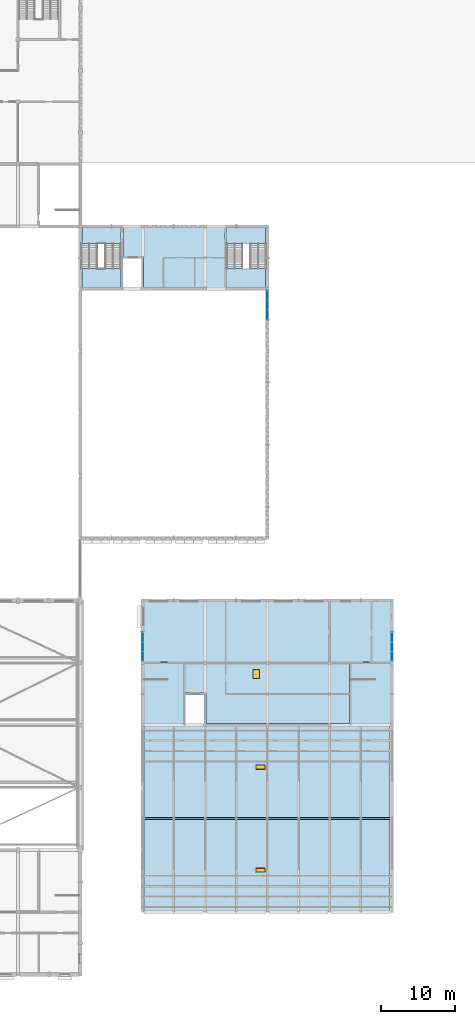
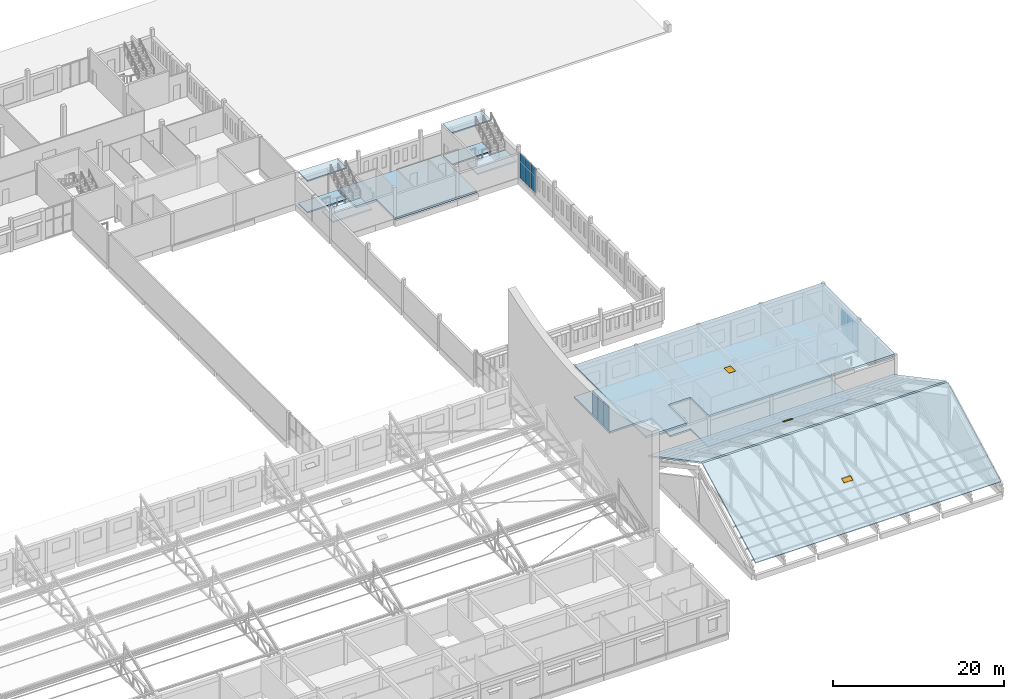
# One storey, part 67 of 101: 12 plates, 11 slabs, 3 windows, 3 openings, 5 elements without a shape of their own.
"""IFC4 building model written with IfcOpenShell, lengths in metres."""

from ifc_helpers import new_model, si_unit, direction, frame, origin, origin_2d, place, context, subcontext, project, spatial, polyline, rectangle, outline, extrude, material, layer, layer_set, type_object, element, fill, aggregate, save


model = new_model("IFC4")

# Units and contexts
model_context = context("Model", 3, precision=1e-05, world=origin(), true_north=direction((0.0, 1.0)))
body_context = subcontext(model_context, "Body", "Model", "MODEL_VIEW")
ifc_project = project(units=[si_unit("LENGTHUNIT", "METRE"), si_unit("AREAUNIT", "SQUARE_METRE"), si_unit("VOLUMEUNIT", "CUBIC_METRE"), si_unit("PLANEANGLEUNIT", "RADIAN"), si_unit("MASSUNIT", "GRAM", prefix="KILO")], contexts=[model_context])

# Site, building, storey
site_placement = place(None, origin())
site = spatial("IfcSite", under=ifc_project, at=site_placement, CompositionType="ELEMENT")
building_placement = place(site_placement, origin())
building = spatial("IfcBuilding", under=site, at=building_placement, Name="Fescue Hill Polytechnic", CompositionType="ELEMENT")
storey_placement = place(building_placement, frame((0.0, 0.0, 9.0)))
storey = spatial("IfcBuildingStorey", under=building, at=storey_placement, Name="L02", CompositionType="ELEMENT", Elevation=9.0)

# Slabs
ifc_material_1 = material(Name="Concrete 35 MPa", Category="concrete")
ifc_layer_1 = layer(ifc_material_1, 0.25)
ifc_layer_set_1 = layer_set([ifc_layer_1], Name="Concrete 35 MPa")
slab_type_1 = type_object("IfcSlabType", Name="Floor slab 250", PredefinedType="FLOOR", material=ifc_layer_set_1)
slab_1_placement = place(storey_placement, frame((0.0, 0.0, -0.25)))
element("IfcSlab", 1, at=slab_1_placement, inside=storey, type_object=slab_type_1, Name="SL-L02-V3-1", PredefinedType="FLOOR", context=body_context, shape_type="SweptSolid", body=[
    extrude(outline(polyline([(159.60009765625, 50.39990234375), (159.60009765625, 42.125), (153.875, 42.125), (153.875, 33.7998046875), (134.5, 33.7998046875), (134.5, 37.89990234375), (131.72509765625, 37.89990234375), (131.72509765625, 42.125), (126.0, 42.125), (126.0, 50.39990234375), (159.60009765625, 50.39990234375)])), origin(), (0.0, 0.0, 1.0), 0.25),
])
ifc_layer_2 = layer(ifc_material_1, 0.300048828125)
ifc_layer_set_2 = layer_set([ifc_layer_2], Name="Concrete 35 MPa")
slab_type_2 = type_object("IfcSlabType", Name="Floor slab 300", PredefinedType="FLOOR", material=ifc_layer_set_2)
slab_2_placement = place(storey_placement, frame((0.0, 0.0, -0.300048828125)))
element("IfcSlab", 2, at=slab_2_placement, inside=storey, type_object=slab_type_2, Name="SL-L02-V2-1", PredefinedType="FLOOR", context=body_context, shape_type="SweptSolid", body=[
    extrude(outline(polyline([(137.074951171875, 100.800048828125), (137.074951171875, 92.39990234375), (126.10009765625, 92.39990234375), (126.10009765625, 96.699951171875), (123.324951171875, 96.699951171875), (123.324951171875, 100.800048828125), (137.074951171875, 100.800048828125)])), origin(), (0.0, 0.0, 1.0), 0.300048828125),
])

# Curtain wall, plates
ifc_material_2 = material(Name="Glass", Category="glass")
curtain_wall_type = type_object("IfcCurtainWallType", Name="Curtain wall structural glazing", PredefinedType="NOTDEFINED", material=ifc_material_2)
curtain_wall_1_placement = place(storey_placement, origin())
curtain_wall_1 = element("IfcCurtainWall", 3, at=curtain_wall_1_placement, inside=storey, type_object=curtain_wall_type, Name="CW-L02-V3-X1", PredefinedType="NOTDEFINED")
ifc_layer_3 = layer(ifc_material_2, 0.028076171875)
ifc_layer_set_3 = layer_set([ifc_layer_3], Name="Glass")
plate_type = type_object("IfcPlateType", Name="Panel glazing 28", PredefinedType="CURTAIN_PANEL", material=ifc_layer_set_3)
plate_1_placement = place(storey_placement, frame((126.0, 45.46826171875, 0.06005859375), z_axis=(0.0, 0.0, 1.0), x_axis=(0.0, -1.0, 0.0)))
plate_1 = element("IfcPlate", 4, at=plate_1_placement, type_object=plate_type, Name="CW117 panel 1.1", PredefinedType="CURTAIN_PANEL", context=body_context, shape_type="SweptSolid", body=[
    extrude(rectangle(XDim=1.223388671875, YDim=0.028076171875, at=origin_2d()), origin(), (0.0, 0.0, 1.0), 3.4599609375),
])
plate_2_placement = place(storey_placement, frame((126.0, 44.169921875, 0.06005859375), z_axis=(0.0, 0.0, 1.0), x_axis=(0.0, -1.0, 0.0)))
plate_2 = element("IfcPlate", 5, at=plate_2_placement, type_object=plate_type, Name="CW117 panel 2.1", PredefinedType="CURTAIN_PANEL", context=body_context, shape_type="SweptSolid", body=[
    extrude(rectangle(XDim=1.25341796875, YDim=0.028076171875, at=origin_2d()), origin(), (0.0, 0.0, 1.0), 3.4599609375),
])
plate_3_placement = place(storey_placement, frame((126.0, 42.87158203125, 0.06005859375), z_axis=(0.0, 0.0, 1.0), x_axis=(0.0, -1.0, 0.0)))
plate_3 = element("IfcPlate", 6, at=plate_3_placement, type_object=plate_type, Name="CW117 panel 3.1", PredefinedType="CURTAIN_PANEL", context=body_context, shape_type="SweptSolid", body=[
    extrude(rectangle(XDim=1.223388671875, YDim=0.028076171875, at=origin_2d()), origin(), (0.0, 0.0, 1.0), 3.4599609375),
])
aggregate(curtain_wall_1, [plate_1, plate_2, plate_3])

curtain_wall_2_placement = place(storey_placement, origin())
curtain_wall_2 = element("IfcCurtainWall", 7, at=curtain_wall_2_placement, inside=storey, type_object=curtain_wall_type, Name="CW-L02-V3-X2", PredefinedType="NOTDEFINED")
plate_4_placement = place(storey_placement, frame((159.60009765625, 42.87158203125, 0.06005859375), z_axis=(0.0, 0.0, 1.0), x_axis=(0.0, 1.0, 0.0)))
plate_4 = element("IfcPlate", 8, at=plate_4_placement, type_object=plate_type, Name="CW119 panel 1.1", PredefinedType="CURTAIN_PANEL", context=body_context, shape_type="SweptSolid", body=[
    extrude(rectangle(XDim=1.223388671875, YDim=0.028076171875, at=origin_2d()), origin(), (0.0, 0.0, 1.0), 3.4599609375),
])
plate_5_placement = place(storey_placement, frame((159.60009765625, 44.169921875, 0.06005859375), z_axis=(0.0, 0.0, 1.0), x_axis=(0.0, 1.0, 0.0)))
plate_5 = element("IfcPlate", 9, at=plate_5_placement, type_object=plate_type, Name="CW119 panel 2.1", PredefinedType="CURTAIN_PANEL", context=body_context, shape_type="SweptSolid", body=[
    extrude(rectangle(XDim=1.25341796875, YDim=0.028076171875, at=origin_2d()), origin(), (0.0, 0.0, 1.0), 3.4599609375),
])
plate_6_placement = place(storey_placement, frame((159.60009765625, 45.46826171875, 0.06005859375), z_axis=(0.0, 0.0, 1.0), x_axis=(0.0, 1.0, 0.0)))
plate_6 = element("IfcPlate", 10, at=plate_6_placement, type_object=plate_type, Name="CW119 panel 3.1", PredefinedType="CURTAIN_PANEL", context=body_context, shape_type="SweptSolid", body=[
    extrude(rectangle(XDim=1.223388671875, YDim=0.028076171875, at=origin_2d()), origin(), (0.0, 0.0, 1.0), 3.4599609375),
])
aggregate(curtain_wall_2, [plate_4, plate_5, plate_6])

curtain_wall_3_placement = place(storey_placement, origin())
curtain_wall_3 = element("IfcCurtainWall", 11, at=curtain_wall_3_placement, inside=storey, type_object=curtain_wall_type, Name="CW-L02-V2-X1", PredefinedType="NOTDEFINED")
plate_7_placement = place(storey_placement, frame((142.800048828125, 88.931640625, 0.06005859375), z_axis=(0.0, 0.0, 1.0), x_axis=(0.0, 1.0, 0.0)))
plate_7 = element("IfcPlate", 12, at=plate_7_placement, type_object=plate_type, Name="CW121 panel 1.1", PredefinedType="CURTAIN_PANEL", context=body_context, shape_type="SweptSolid", body=[
    extrude(rectangle(XDim=1.223388671875, YDim=0.028076171875, at=origin_2d()), origin(), (0.0, 0.0, 1.0), 2.31005859375),
])
plate_8_placement = place(storey_placement, frame((142.800048828125, 88.931640625, 2.43017578125), z_axis=(0.0, 0.0, 1.0), x_axis=(0.0, 1.0, 0.0)))
plate_8 = element("IfcPlate", 13, at=plate_8_placement, type_object=plate_type, Name="CW121 panel 1.2", PredefinedType="CURTAIN_PANEL", context=body_context, shape_type="SweptSolid", body=[
    extrude(rectangle(XDim=1.223388671875, YDim=0.028076171875, at=origin_2d()), origin(), (0.0, 0.0, 1.0), 1.139892578125),
])
plate_9_placement = place(storey_placement, frame((142.800048828125, 90.22998046875, 0.06005859375), z_axis=(0.0, 0.0, 1.0), x_axis=(0.0, 1.0, 0.0)))
plate_9 = element("IfcPlate", 14, at=plate_9_placement, type_object=plate_type, Name="CW121 panel 2.1", PredefinedType="CURTAIN_PANEL", context=body_context, shape_type="SweptSolid", body=[
    extrude(rectangle(XDim=1.25341796875, YDim=0.028076171875, at=origin_2d()), origin(), (0.0, 0.0, 1.0), 2.31005859375),
])
plate_10_placement = place(storey_placement, frame((142.800048828125, 90.22998046875, 2.43017578125), z_axis=(0.0, 0.0, 1.0), x_axis=(0.0, 1.0, 0.0)))
plate_10 = element("IfcPlate", 15, at=plate_10_placement, type_object=plate_type, Name="CW121 panel 2.2", PredefinedType="CURTAIN_PANEL", context=body_context, shape_type="SweptSolid", body=[
    extrude(rectangle(XDim=1.25341796875, YDim=0.028076171875, at=origin_2d()), origin(), (0.0, 0.0, 1.0), 1.139892578125),
])
plate_11_placement = place(storey_placement, frame((142.800048828125, 91.5283203125, 0.06005859375), z_axis=(0.0, 0.0, 1.0), x_axis=(0.0, 1.0, 0.0)))
plate_11 = element("IfcPlate", 16, at=plate_11_placement, type_object=plate_type, Name="CW121 panel 3.1", PredefinedType="CURTAIN_PANEL", context=body_context, shape_type="SweptSolid", body=[
    extrude(rectangle(XDim=1.223388671875, YDim=0.028076171875, at=origin_2d()), origin(), (0.0, 0.0, 1.0), 2.31005859375),
])
plate_12_placement = place(storey_placement, frame((142.800048828125, 91.5283203125, 2.43017578125), z_axis=(0.0, 0.0, 1.0), x_axis=(0.0, 1.0, 0.0)))
plate_12 = element("IfcPlate", 17, at=plate_12_placement, type_object=plate_type, Name="CW121 panel 3.2", PredefinedType="CURTAIN_PANEL", context=body_context, shape_type="SweptSolid", body=[
    extrude(rectangle(XDim=1.223388671875, YDim=0.028076171875, at=origin_2d()), origin(), (0.0, 0.0, 1.0), 1.139892578125),
])
aggregate(curtain_wall_3, [plate_7, plate_8, plate_9, plate_10, plate_11, plate_12])

# Slab, opening, window
ifc_material_3 = material(Name="Insulated steel deck on Steel 350W (350 MPa)", Category="steel")
ifc_layer_4 = layer(ifc_material_3, 0.199951171875)
ifc_layer_set_4 = layer_set([ifc_layer_4], Name="Insulated steel deck on Steel 350W (350 MPa)")
slab_type_3 = type_object("IfcSlabType", Name="Refectory roof deck 200", PredefinedType="ROOF", material=ifc_layer_set_4)
slab_3_placement = place(storey_placement, frame((126.25, 8.39990234375, 1.69775390625), z_axis=(0.0, -0.469493864735, 0.882935734341), x_axis=(1.0, 0.0, 0.0)))
slab_3 = element("IfcSlab", 18, at=slab_3_placement, inside=storey, type_object=slab_type_3, Name="Refectory roof south slope", PredefinedType="ROOF", context=body_context, shape_type="SweptSolid", body=[
    extrude(outline(polyline([(0.0, 0.0), (33.10009765625, 0.0), (33.10009765625, 14.107820471696824), (0.0, 14.107820471696824), (0.0, 0.0)])), origin(), (0.0, 0.0, -1.0), 0.199951171875),
])
opening_1_placement = place(storey_placement, frame((141.85009765625, 14.050048828125, 4.056640625)))
opening_1 = element("IfcOpeningElement", 19, at=opening_1_placement, cuts=slab_3, Name="Opening WH3", PredefinedType="OPENING", context=body_context, shape_type="SweptSolid", body=[
    extrude(rectangle(XDim=1.239990234375, YDim=0.61328125, at=origin_2d()), origin(), (0.0, 0.0, 1.0), 1.064697265625),
])
ifc_material_4 = material(Name="Powder-coated aluminium and glass", Category="aluminium")
window_type_1 = type_object("IfcWindowType", Name="Roof ventilator 1200x600", PartitioningType="SINGLE_PANEL", PredefinedType="SKYLIGHT", material=ifc_material_4)
window_1_placement = place(storey_placement, frame((141.85009765625, 14.050048828125, 4.7021484375), z_axis=(0.0, -0.469493864735, 0.882935734341), x_axis=(1.0, 0.0, 0.0)))
window_1 = element("IfcWindow", 20, at=window_1_placement, inside=storey, type_object=window_type_1, Name="RLT-L02-RG-DECK-S", OverallHeight=0.60009765625, OverallWidth=1.199951171875, PartitioningType="SINGLE_PANEL", PredefinedType="SKYLIGHT", context=body_context, shape_type="SweptSolid", body=[
    extrude(rectangle(XDim=1.199951171875, YDim=0.60009765625, at=origin_2d()), origin(), (0.0, 0.0, -1.0), 0.050048828125),
])
fill(opening_1, window_1)

slab_4_placement = place(storey_placement, frame((126.25, 33.60009765625, 1.69775390625), z_axis=(0.0, 0.469493864735, 0.882935734341), x_axis=(1.0, 0.0, 0.0)))
slab_4 = element("IfcSlab", 21, at=slab_4_placement, inside=storey, type_object=slab_type_3, Name="Refectory roof north slope", PredefinedType="ROOF", context=body_context, shape_type="SweptSolid", body=[
    extrude(outline(polyline([(0.0, 0.0), (33.10009765625, 0.0), (33.10009765625, -14.107820471696824), (0.0, -14.107820471696824), (0.0, 0.0)])), origin(), (0.0, 0.0, -1.0), 0.199951171875),
])
opening_2_placement = place(storey_placement, frame((141.85009765625, 27.944091796875, 4.059814453125)))
opening_2 = element("IfcOpeningElement", 22, at=opening_2_placement, cuts=slab_4, Name="Opening WH3", PredefinedType="OPENING", context=body_context, shape_type="SweptSolid", body=[
    extrude(rectangle(XDim=1.239990234375, YDim=0.61328125, at=origin_2d()), origin(), (0.0, 0.0, 1.0), 1.064697265625),
])
window_2_placement = place(storey_placement, frame((141.85009765625, 27.944091796875, 4.705322265625), z_axis=(0.0, 0.469493864735, 0.882935734341), x_axis=(1.0, 0.0, 0.0)))
window_2 = element("IfcWindow", 23, at=window_2_placement, inside=storey, type_object=window_type_1, Name="RLT-L02-RG-DECK-N", OverallHeight=0.60009765625, OverallWidth=1.199951171875, PartitioningType="SINGLE_PANEL", PredefinedType="SKYLIGHT", context=body_context, shape_type="SweptSolid", body=[
    extrude(rectangle(XDim=1.199951171875, YDim=0.60009765625, at=origin_2d()), origin(), (0.0, 0.0, -1.0), 0.050048828125),
])
fill(opening_2, window_2)

ifc_layer_5 = layer(ifc_material_1, 0.300048828125)
ifc_layer_set_5 = layer_set([ifc_layer_5], Name="Concrete 35 MPa")
slab_type_4 = type_object("IfcSlabType", Name="Roof slab 300", PredefinedType="ROOF", material=ifc_layer_set_5)
slab_5_placement = place(storey_placement, frame((0.0, 0.0, 4.199951171875)))
slab_5 = element("IfcSlab", 24, at=slab_5_placement, inside=storey, type_object=slab_type_4, Name="RF-L02-V3-1", PredefinedType="ROOF", context=body_context, shape_type="SweptSolid", body=[
    extrude(outline(polyline([(159.60009765625, 50.39990234375), (159.60009765625, 33.60009765625), (134.5, 33.60009765625), (134.5, 37.89990234375), (131.5, 37.89990234375), (131.5, 33.60009765625), (126.0, 33.60009765625), (126.0, 50.39990234375), (159.60009765625, 50.39990234375)])), origin(), (0.0, 0.0, 1.0), 0.300048828125),
])
opening_3_placement = place(slab_5_placement, frame((141.300048828125, 40.5, 0.0)))
opening_3 = element("IfcOpeningElement", 25, at=opening_3_placement, cuts=slab_5, Name="Opening WH1", PredefinedType="OPENING", context=body_context, shape_type="SweptSolid", body=[
    extrude(rectangle(XDim=0.89990234375, YDim=1.199951171875, at=origin_2d()), frame((0.0, 0.0, -0.010009765625)), (0.0, 0.0, 1.0), 0.320068359375),
])
window_type_2 = type_object("IfcWindowType", Name="Roof access hatch 900x1200", PartitioningType="SINGLE_PANEL", PredefinedType="SKYLIGHT", material=ifc_material_4)
window_3_placement = place(opening_3_placement, frame((0.0, 0.0, 0.25)))
window_3 = element("IfcWindow", 26, at=window_3_placement, inside=storey, type_object=window_type_2, Name="HT-L02-V3-1", OverallHeight=1.199951171875, OverallWidth=0.89990234375, PartitioningType="SINGLE_PANEL", PredefinedType="SKYLIGHT", context=body_context, shape_type="SweptSolid", body=[
    extrude(rectangle(XDim=0.89990234375, YDim=1.199951171875, at=origin_2d()), origin(), (0.0, 0.0, 1.0), 0.050048828125),
])
fill(opening_3, window_3)

# Stair, slabs
stair_type = type_object("IfcStairType", Name="Half-turn stair 2150 flights", PredefinedType="HALF_TURN_STAIR", material=ifc_material_1)
stair_1_placement = place(storey_placement, origin())
stair_1 = element("IfcStair", 27, at=stair_1_placement, inside=storey, type_object=stair_type, Name="L02 ST-V2-1 stair", PredefinedType="HALF_TURN_STAIR")
ifc_layer_6 = layer(ifc_material_1, 0.199951171875)
ifc_layer_set_6 = layer_set([ifc_layer_6], Name="Concrete 35 MPa")
slab_type_5 = type_object("IfcSlabType", Name="Stair landing slab 200", PredefinedType="LANDING", material=ifc_layer_set_6)
slab_6_placement = place(storey_placement, frame((0.0, 0.0, 2.050048828125)))
slab_6 = element("IfcSlab", 28, at=slab_6_placement, type_object=slab_type_5, Name="S13 landing 1", PredefinedType="LANDING", context=body_context, shape_type="SweptSolid", body=[
    extrude(outline(polyline([(117.824951171875, 92.550048828125), (123.10009765625, 92.550048828125), (123.10009765625, 95.139892578125), (117.824951171875, 95.139892578125), (117.824951171875, 92.550048828125)])), origin(), (0.0, 0.0, 1.0), 0.199951171875),
])
slab_7_placement = place(storey_placement, frame((0.0, 0.0, -0.199951171875)))
slab_7 = element("IfcSlab", 29, at=slab_7_placement, type_object=slab_type_5, Name="S13 landing 2", PredefinedType="LANDING", context=body_context, shape_type="SweptSolid", body=[
    extrude(outline(polyline([(117.824951171875, 98.5), (123.074951171875, 98.5), (123.074951171875, 100.64990234375), (117.824951171875, 100.64990234375), (117.824951171875, 98.5)])), origin(), (0.0, 0.0, 1.0), 0.199951171875),
])
slab_8_placement = place(storey_placement, frame((0.0, 0.0, 4.300048828125)))
slab_8 = element("IfcSlab", 30, at=slab_8_placement, type_object=slab_type_5, Name="S13 landing 3", PredefinedType="LANDING", context=body_context, shape_type="SweptSolid", body=[
    extrude(outline(polyline([(117.824951171875, 98.5), (123.074951171875, 98.5), (123.074951171875, 100.64990234375), (117.824951171875, 100.64990234375), (117.824951171875, 98.5)])), origin(), (0.0, 0.0, 1.0), 0.199951171875),
])
aggregate(stair_1, [slab_6, slab_7, slab_8])

stair_2_placement = place(storey_placement, origin())
stair_2 = element("IfcStair", 31, at=stair_2_placement, inside=storey, type_object=stair_type, Name="L02 ST-V2-2 stair", PredefinedType="HALF_TURN_STAIR")
slab_9_placement = place(storey_placement, frame((0.0, 0.0, 2.050048828125)))
slab_9 = element("IfcSlab", 32, at=slab_9_placement, type_object=slab_type_5, Name="S14 landing 1", PredefinedType="LANDING", context=body_context, shape_type="SweptSolid", body=[
    extrude(outline(polyline([(137.324951171875, 92.550048828125), (142.574951171875, 92.550048828125), (142.574951171875, 95.139892578125), (137.324951171875, 95.139892578125), (137.324951171875, 92.550048828125)])), origin(), (0.0, 0.0, 1.0), 0.199951171875),
])
slab_10_placement = place(storey_placement, frame((0.0, 0.0, -0.199951171875)))
slab_10 = element("IfcSlab", 33, at=slab_10_placement, type_object=slab_type_5, Name="S14 landing 2", PredefinedType="LANDING", context=body_context, shape_type="SweptSolid", body=[
    extrude(outline(polyline([(137.324951171875, 98.5), (142.574951171875, 98.5), (142.574951171875, 100.64990234375), (137.324951171875, 100.64990234375), (137.324951171875, 98.5)])), origin(), (0.0, 0.0, 1.0), 0.199951171875),
])
slab_11_placement = place(storey_placement, frame((0.0, 0.0, 4.300048828125)))
slab_11 = element("IfcSlab", 34, at=slab_11_placement, type_object=slab_type_5, Name="S14 landing 3", PredefinedType="LANDING", context=body_context, shape_type="SweptSolid", body=[
    extrude(outline(polyline([(137.324951171875, 98.5), (142.574951171875, 98.5), (142.574951171875, 100.64990234375), (137.324951171875, 100.64990234375), (137.324951171875, 98.5)])), origin(), (0.0, 0.0, 1.0), 0.199951171875),
])
aggregate(stair_2, [slab_9, slab_10, slab_11])

save(model, "model.ifc")
